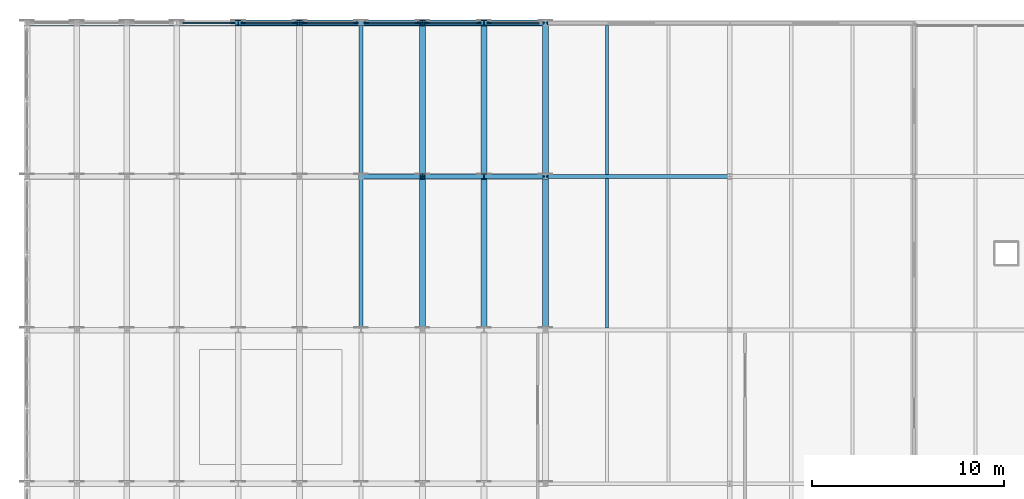
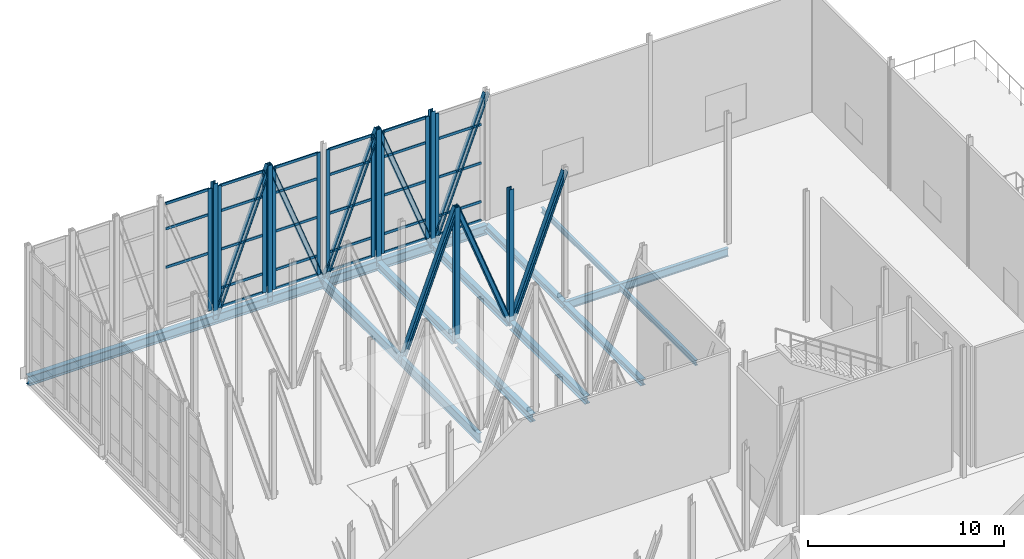
# One storey, part 44 of 73: 51 members, 12 beams, 6 elements without a shape of their own.
"""IFC4 building model written with IfcOpenShell, lengths in metres."""

from ifc_helpers import new_model, si_unit, direction, frame, origin, origin_2d, place, context, subcontext, project, spatial, rectangle, i_section, extrude, material, layer, layer_set, material_profile, profile_set, type_object, element, aggregate, save


model = new_model("IFC4")

# Units and contexts
model_context = context("Model", 3, precision=1e-05, world=origin(), true_north=direction((0.0, 1.0)))
body_context = subcontext(model_context, "Body", "Model", "MODEL_VIEW")
ifc_project = project(units=[si_unit("LENGTHUNIT", "METRE"), si_unit("AREAUNIT", "SQUARE_METRE"), si_unit("VOLUMEUNIT", "CUBIC_METRE"), si_unit("PLANEANGLEUNIT", "RADIAN"), si_unit("MASSUNIT", "GRAM", prefix="KILO")], contexts=[model_context])

# Site, building, storey
site_placement = place(None, origin())
site = spatial("IfcSite", under=ifc_project, at=site_placement, CompositionType="ELEMENT")
building_placement = place(site_placement, origin())
building = spatial("IfcBuilding", under=site, at=building_placement, Name="Alderhovde Museum", CompositionType="ELEMENT")
storey_placement = place(building_placement, frame((0.0, 0.0, 17.39990234375)))
storey = spatial("IfcBuildingStorey", under=building, at=storey_placement, Name="L04", CompositionType="ELEMENT", Elevation=17.39990234375)

# Beams
ifc_material_1 = material(Name="Steel S355J2", Category="steel")
ifc_material_profile_1 = material_profile(ifc_material_1, i_section(OverallWidth=0.300048828125, OverallDepth=0.389892578125, WebThickness=0.010986328125, FlangeThickness=0.01904296875, FilletRadius=0.027099609375, at=origin_2d()), Name="HEA 400")
ifc_profile_set_1 = profile_set([ifc_material_profile_1], Name="Steel S355J2")
beam_type_1 = type_object("IfcBeamType", Name="BM-HEA400", PredefinedType="BEAM", material=ifc_profile_set_1)
for number, where, z_axis, x_axis, name in (
    (1, (28.800048828125, 96.0, -0.474853515625), (0.0, 1.0, 0.0), (-1.0, 0.0, 0.0), "L04 Grid Beam X=28.8 (96.0 TO 104.0)"),
    (2, (28.800048828125, 104.0, -0.474853515625), (0.0, 1.0, 0.0), (-1.0, 0.0, 0.0), "L04 Grid Beam X=28.8 (104.0 TO 112.0)"),
):
    element("IfcBeam", number, at=place(storey_placement, frame(where, z_axis=z_axis, x_axis=x_axis)), inside=storey, type_object=beam_type_1, Name=name, PredefinedType="BEAM", context=body_context, shape_type="SweptSolid", body=[
        extrude(i_section(OverallWidth=0.300048828125, OverallDepth=0.389892578125, WebThickness=0.010986328125, FlangeThickness=0.01904296875, FilletRadius=0.027099609375, at=origin_2d()), origin(), (0.0, 0.0, 1.0), 8.0),
    ])
ifc_material_2 = material(Name="Steel S355J2", Category="steel")
ifc_material_profile_2 = material_profile(ifc_material_2, i_section(OverallWidth=0.300048828125, OverallDepth=0.489990234375, WebThickness=0.011962890625, FlangeThickness=0.02294921875, FilletRadius=0.027099609375, at=origin_2d()), Name="HEA 500")
ifc_profile_set_2 = profile_set([ifc_material_profile_2], Name="Steel S355J2")
beam_type_2 = type_object("IfcBeamType", Name="BM-HEA500", PredefinedType="BEAM", material=ifc_profile_set_2)
for number, where, z_axis, x_axis, name in (
    (3, (22.39990234375, 96.14990234375, -0.52490234375), (0.0, 1.0, 0.0), (-1.0, 0.0, 0.0), "L04 Transfer Transverse Beam X=22.4"),
    (4, (22.39990234375, 104.14990234375, -0.52490234375), (0.0, 1.0, 0.0), (-1.0, 0.0, 0.0), "L04 Transfer Transverse Beam X=22.4"),
    (5, (25.60009765625, 96.14990234375, -0.52490234375), (0.0, 1.0, 0.0), (-1.0, 0.0, 0.0), "L04 Transfer Transverse Beam X=25.6"),
    (6, (25.60009765625, 104.14990234375, -0.52490234375), (0.0, 1.0, 0.0), (-1.0, 0.0, 0.0), "L04 Transfer Transverse Beam X=25.6"),
):
    element("IfcBeam", number, at=place(storey_placement, frame(where, z_axis=z_axis, x_axis=x_axis)), inside=storey, type_object=beam_type_2, Name=name, PredefinedType="BEAM", context=body_context, shape_type="SweptSolid", body=[
        extrude(i_section(OverallWidth=0.300048828125, OverallDepth=0.489990234375, WebThickness=0.011962890625, FlangeThickness=0.02294921875, FilletRadius=0.027099609375, at=origin_2d()), origin(), (0.0, 0.0, 1.0), 7.7001953125),
    ])
ifc_material_3 = material(Name="Steel S355J2", Category="steel")
ifc_material_profile_3 = material_profile(ifc_material_3, i_section(OverallWidth=0.300048828125, OverallDepth=0.60009765625, WebThickness=0.015380859375, FlangeThickness=0.030029296875, FilletRadius=0.027099609375, at=origin_2d()), Name="HEB 600")
ifc_profile_set_3 = profile_set([ifc_material_profile_3], Name="Steel S355J2")
beam_type_3 = type_object("IfcBeamType", Name="BM-HEB600", PredefinedType="BEAM", material=ifc_profile_set_3)
beam_1_placement = place(storey_placement, frame((1.800048828125, 112.0, -0.579833984375), z_axis=(1.0, 0.0, 0.0), x_axis=(0.0, 1.0, 0.0)))
element("IfcBeam", 7, at=beam_1_placement, inside=storey, type_object=beam_type_3, Name="Transfer Truss Y=112 MID Continuous Chord", PredefinedType="BEAM", context=body_context, shape_type="SweptSolid", body=[
    extrude(i_section(OverallWidth=0.300048828125, OverallDepth=0.60009765625, WebThickness=0.015380859375, FlangeThickness=0.030029296875, FilletRadius=0.027099609375, at=origin_2d()), origin(), (0.0, 0.0, 1.0), 27.0),
])
ifc_material_4 = material(Name="Steel S355J2", Category="steel")
ifc_material_profile_4 = material_profile(ifc_material_4, i_section(OverallWidth=0.199951171875, OverallDepth=0.5, WebThickness=0.01025390625, FlangeThickness=0.01611328125, FilletRadius=0.02099609375, at=origin_2d()), Name="IPE 500")
ifc_profile_set_4 = profile_set([ifc_material_profile_4], Name="Steel S355J2")
beam_type_4 = type_object("IfcBeamType", Name="BM-IPE500", PredefinedType="BEAM", material=ifc_profile_set_4)
beam_2_placement = place(storey_placement, frame((28.800048828125, 104.0, -0.52978515625), z_axis=(1.0, 0.0, 0.0), x_axis=(0.0, 1.0, 0.0)))
element("IfcBeam", 8, at=beam_2_placement, inside=storey, type_object=beam_type_4, Name="L04 Grid Beam Y=104.0 (28.8 TO 38.4)", PredefinedType="BEAM", context=body_context, shape_type="SweptSolid", body=[
    extrude(i_section(OverallWidth=0.199951171875, OverallDepth=0.5, WebThickness=0.01025390625, FlangeThickness=0.01611328125, FilletRadius=0.02099609375, at=origin_2d()), origin(), (0.0, 0.0, 1.0), 9.599853515625),
])
ifc_material_5 = material(Name="Steel S355J2", Category="steel")
ifc_material_profile_5 = material_profile(ifc_material_5, i_section(OverallWidth=0.219970703125, OverallDepth=0.60009765625, WebThickness=0.011962890625, FlangeThickness=0.01904296875, FilletRadius=0.02392578125, at=origin_2d()), Name="IPE 600")
ifc_profile_set_5 = profile_set([ifc_material_profile_5], Name="Steel S355J2")
beam_type_5 = type_object("IfcBeamType", Name="BM-IPE600", PredefinedType="BEAM", material=ifc_profile_set_5)
for number, where, z_axis, x_axis, name in (
    (9, (19.199951171875, 96.0, -0.579833984375), (0.0, 1.0, 0.0), (-1.0, 0.0, 0.0), "L04 Grid Beam X=19.2 (96.0 TO 104.0)"),
    (10, (19.199951171875, 104.0, -0.579833984375), (0.0, 1.0, 0.0), (-1.0, 0.0, 0.0), "L04 Grid Beam X=19.2 (104.0 TO 112.0)"),
):
    element("IfcBeam", number, at=place(storey_placement, frame(where, z_axis=z_axis, x_axis=x_axis)), inside=storey, type_object=beam_type_5, Name=name, PredefinedType="BEAM", context=body_context, shape_type="SweptSolid", body=[
        extrude(i_section(OverallWidth=0.219970703125, OverallDepth=0.60009765625, WebThickness=0.011962890625, FlangeThickness=0.01904296875, FilletRadius=0.02392578125, at=origin_2d()), origin(), (0.0, 0.0, 1.0), 8.0),
    ])

# Curtain wall, member
ifc_material_6 = material(Name="Triple-Glazed Bronze-Anodised Curtain Wall", Category="glass")
ifc_layer = layer(ifc_material_6, 0.219970703125)
ifc_layer_set = layer_set([ifc_layer], Name="Triple-Glazed Bronze-Anodised Curtain Wall")
curtain_wall_type = type_object("IfcCurtainWallType", Name="CW-UNIT-272x760", PredefinedType="USERDEFINED", material=ifc_layer_set)
curtain_wall_1_placement = place(storey_placement, origin())
curtain_wall_1 = element("IfcCurtainWall", 11, at=curtain_wall_1_placement, inside=storey, type_object=curtain_wall_type, Name="L04 Unitised Curtain Wall 125", ObjectType="UNITISED CURTAIN WALL", PredefinedType="USERDEFINED")
ifc_material_7 = material(Name="Bronze-Anodised Aluminium EN AW-6063-T6", Category="aluminium")
ifc_material_profile_6 = material_profile(ifc_material_7, rectangle(XDim=0.074951171875, YDim=0.219970703125, at=origin_2d()), Name="MULLION 75x220")
ifc_profile_set_6 = profile_set([ifc_material_profile_6], Name="Bronze-Anodised Aluminium EN AW-6063-T6")
member_type_1 = type_object("IfcMemberType", Name="CWM-75x220", PredefinedType="MULLION", material=ifc_profile_set_6)
member_1_placement = place(storey_placement, frame((12.5224609375, 112.0, 0.0), z_axis=(0.0, 0.0, 1.0), x_axis=(0.0, 1.0, 0.0)))
member_1 = element("IfcMember", 12, at=member_1_placement, type_object=member_type_1, Name="CW30 mullion 2", PredefinedType="MULLION", context=body_context, shape_type="SweptSolid", body=[
    extrude(rectangle(XDim=0.074951171875, YDim=0.219970703125, at=origin_2d()), origin(), (0.0, 0.0, 1.0), 7.60009765625),
])

# Curtain wall, members
curtain_wall_2_placement = place(storey_placement, origin())
curtain_wall_2 = element("IfcCurtainWall", 13, at=curtain_wall_2_placement, inside=storey, type_object=curtain_wall_type, Name="L04 Unitised Curtain Wall 126", ObjectType="UNITISED CURTAIN WALL", PredefinedType="USERDEFINED")
member_2_placement = place(storey_placement, frame((13.077392578125, 112.0, 0.0), z_axis=(0.0, 0.0, 1.0), x_axis=(0.0, 1.0, 0.0)))
member_2 = element("IfcMember", 14, at=member_2_placement, type_object=member_type_1, Name="CW30 mullion 1", PredefinedType="MULLION", context=body_context, shape_type="SweptSolid", body=[
    extrude(rectangle(XDim=0.074951171875, YDim=0.219970703125, at=origin_2d()), origin(), (0.0, 0.0, 1.0), 7.60009765625),
])
member_3_placement = place(storey_placement, frame((15.722412109375, 112.0, 0.0), z_axis=(0.0, 0.0, 1.0), x_axis=(0.0, 1.0, 0.0)))
member_3 = element("IfcMember", 15, at=member_3_placement, type_object=member_type_1, Name="CW30 mullion 2", PredefinedType="MULLION", context=body_context, shape_type="SweptSolid", body=[
    extrude(rectangle(XDim=0.074951171875, YDim=0.219970703125, at=origin_2d()), origin(), (0.0, 0.0, 1.0), 7.60009765625),
])

curtain_wall_3_placement = place(storey_placement, origin())
curtain_wall_3 = element("IfcCurtainWall", 16, at=curtain_wall_3_placement, inside=storey, type_object=curtain_wall_type, Name="L04 Unitised Curtain Wall 127", ObjectType="UNITISED CURTAIN WALL", PredefinedType="USERDEFINED")
member_4_placement = place(storey_placement, frame((16.277587890625, 112.0, 0.0), z_axis=(0.0, 0.0, 1.0), x_axis=(0.0, 1.0, 0.0)))
member_4 = element("IfcMember", 17, at=member_4_placement, type_object=member_type_1, Name="CW30 mullion 1", PredefinedType="MULLION", context=body_context, shape_type="SweptSolid", body=[
    extrude(rectangle(XDim=0.074951171875, YDim=0.219970703125, at=origin_2d()), origin(), (0.0, 0.0, 1.0), 7.60009765625),
])
member_5_placement = place(storey_placement, frame((18.922607421875, 112.0, 0.0), z_axis=(0.0, 0.0, 1.0), x_axis=(0.0, 1.0, 0.0)))
member_5 = element("IfcMember", 18, at=member_5_placement, type_object=member_type_1, Name="CW30 mullion 2", PredefinedType="MULLION", context=body_context, shape_type="SweptSolid", body=[
    extrude(rectangle(XDim=0.074951171875, YDim=0.219970703125, at=origin_2d()), origin(), (0.0, 0.0, 1.0), 7.60009765625),
])

curtain_wall_4_placement = place(storey_placement, origin())
curtain_wall_4 = element("IfcCurtainWall", 19, at=curtain_wall_4_placement, inside=storey, type_object=curtain_wall_type, Name="L04 Unitised Curtain Wall 128", ObjectType="UNITISED CURTAIN WALL", PredefinedType="USERDEFINED")
member_6_placement = place(storey_placement, frame((19.4775390625, 112.0, 0.0), z_axis=(0.0, 0.0, 1.0), x_axis=(0.0, 1.0, 0.0)))
member_6 = element("IfcMember", 20, at=member_6_placement, type_object=member_type_1, Name="CW30 mullion 1", PredefinedType="MULLION", context=body_context, shape_type="SweptSolid", body=[
    extrude(rectangle(XDim=0.074951171875, YDim=0.219970703125, at=origin_2d()), origin(), (0.0, 0.0, 1.0), 7.60009765625),
])
member_7_placement = place(storey_placement, frame((22.12255859375, 112.0, 0.0), z_axis=(0.0, 0.0, 1.0), x_axis=(0.0, 1.0, 0.0)))
member_7 = element("IfcMember", 21, at=member_7_placement, type_object=member_type_1, Name="CW30 mullion 2", PredefinedType="MULLION", context=body_context, shape_type="SweptSolid", body=[
    extrude(rectangle(XDim=0.074951171875, YDim=0.219970703125, at=origin_2d()), origin(), (0.0, 0.0, 1.0), 7.60009765625),
])

curtain_wall_5_placement = place(storey_placement, origin())
curtain_wall_5 = element("IfcCurtainWall", 22, at=curtain_wall_5_placement, inside=storey, type_object=curtain_wall_type, Name="L04 Unitised Curtain Wall 129", ObjectType="UNITISED CURTAIN WALL", PredefinedType="USERDEFINED")
member_8_placement = place(storey_placement, frame((22.677490234375, 112.0, 0.0), z_axis=(0.0, 0.0, 1.0), x_axis=(0.0, 1.0, 0.0)))
member_8 = element("IfcMember", 23, at=member_8_placement, type_object=member_type_1, Name="CW30 mullion 1", PredefinedType="MULLION", context=body_context, shape_type="SweptSolid", body=[
    extrude(rectangle(XDim=0.074951171875, YDim=0.219970703125, at=origin_2d()), origin(), (0.0, 0.0, 1.0), 7.60009765625),
])
member_9_placement = place(storey_placement, frame((25.322509765625, 112.0, 0.0), z_axis=(0.0, 0.0, 1.0), x_axis=(0.0, 1.0, 0.0)))
member_9 = element("IfcMember", 24, at=member_9_placement, type_object=member_type_1, Name="CW30 mullion 2", PredefinedType="MULLION", context=body_context, shape_type="SweptSolid", body=[
    extrude(rectangle(XDim=0.074951171875, YDim=0.219970703125, at=origin_2d()), origin(), (0.0, 0.0, 1.0), 7.60009765625),
])

# Curtain wall, member
curtain_wall_6_placement = place(storey_placement, origin())
curtain_wall_6 = element("IfcCurtainWall", 25, at=curtain_wall_6_placement, inside=storey, type_object=curtain_wall_type, Name="L04 Unitised Curtain Wall 130", ObjectType="UNITISED CURTAIN WALL", PredefinedType="USERDEFINED")
member_10_placement = place(storey_placement, frame((25.87744140625, 112.0, 0.0), z_axis=(0.0, 0.0, 1.0), x_axis=(0.0, 1.0, 0.0)))
member_10 = element("IfcMember", 26, at=member_10_placement, type_object=member_type_1, Name="CW30 mullion 1", PredefinedType="MULLION", context=body_context, shape_type="SweptSolid", body=[
    extrude(rectangle(XDim=0.074951171875, YDim=0.219970703125, at=origin_2d()), origin(), (0.0, 0.0, 1.0), 7.60009765625),
])

# Member
ifc_material_8 = material(Name="Bronze-Anodised Aluminium EN AW-6063-T6", Category="aluminium")
ifc_material_profile_7 = material_profile(ifc_material_8, rectangle(XDim=0.074951171875, YDim=0.159912109375, at=origin_2d()), Name="TRANSOM 75x160")
ifc_profile_set_7 = profile_set([ifc_material_profile_7], Name="Bronze-Anodised Aluminium EN AW-6063-T6")
member_type_2 = type_object("IfcMemberType", Name="CWT-75x160", PredefinedType="USERDEFINED", material=ifc_profile_set_7)
member_11_placement = place(storey_placement, frame((9.9150390625, 112.0, 3.60009765625), z_axis=(1.0, 0.0, 0.0), x_axis=(0.0, 1.0, 0.0)))
member_11 = element("IfcMember", 27, at=member_11_placement, type_object=member_type_2, Name="CW30 transom 1.3", ObjectType="TRANSOM", PredefinedType="USERDEFINED", context=body_context, shape_type="SweptSolid", body=[
    extrude(rectangle(XDim=0.074951171875, YDim=0.159912109375, at=origin_2d()), origin(), (0.0, 0.0, 1.0), 2.570068359375),
])

member_12_placement = place(storey_placement, frame((9.9150390625, 112.0, 6.0), z_axis=(1.0, 0.0, 0.0), x_axis=(0.0, 1.0, 0.0)))
member_12 = element("IfcMember", 28, at=member_12_placement, type_object=member_type_2, Name="CW30 transom 1.4", ObjectType="TRANSOM", PredefinedType="USERDEFINED", context=body_context, shape_type="SweptSolid", body=[
    extrude(rectangle(XDim=0.074951171875, YDim=0.159912109375, at=origin_2d()), origin(), (0.0, 0.0, 1.0), 2.570068359375),
])

member_13_placement = place(storey_placement, frame((9.9150390625, 112.0, 7.5625), z_axis=(1.0, 0.0, 0.0), x_axis=(0.0, 1.0, 0.0)))
member_13 = element("IfcMember", 29, at=member_13_placement, type_object=member_type_2, Name="CW30 transom 1.5", ObjectType="TRANSOM", PredefinedType="USERDEFINED", context=body_context, shape_type="SweptSolid", body=[
    extrude(rectangle(XDim=0.074951171875, YDim=0.159912109375, at=origin_2d()), origin(), (0.0, 0.0, 1.0), 2.570068359375),
])

aggregate(curtain_wall_1, [member_1, member_11, member_12, member_13])

member_14_placement = place(storey_placement, frame((13.114990234375, 112.0, 0.03759765625), z_axis=(1.0, 0.0, 0.0), x_axis=(0.0, 1.0, 0.0)))
member_14 = element("IfcMember", 30, at=member_14_placement, type_object=member_type_2, Name="CW30 transom 1.1", ObjectType="TRANSOM", PredefinedType="USERDEFINED", context=body_context, shape_type="SweptSolid", body=[
    extrude(rectangle(XDim=0.074951171875, YDim=0.159912109375, at=origin_2d()), origin(), (0.0, 0.0, 1.0), 2.570068359375),
])

member_15_placement = place(storey_placement, frame((13.114990234375, 112.0, 1.2001953125), z_axis=(1.0, 0.0, 0.0), x_axis=(0.0, 1.0, 0.0)))
member_15 = element("IfcMember", 31, at=member_15_placement, type_object=member_type_2, Name="CW30 transom 1.2", ObjectType="TRANSOM", PredefinedType="USERDEFINED", context=body_context, shape_type="SweptSolid", body=[
    extrude(rectangle(XDim=0.074951171875, YDim=0.159912109375, at=origin_2d()), origin(), (0.0, 0.0, 1.0), 2.570068359375),
])

member_16_placement = place(storey_placement, frame((13.114990234375, 112.0, 3.60009765625), z_axis=(1.0, 0.0, 0.0), x_axis=(0.0, 1.0, 0.0)))
member_16 = element("IfcMember", 32, at=member_16_placement, type_object=member_type_2, Name="CW30 transom 1.3", ObjectType="TRANSOM", PredefinedType="USERDEFINED", context=body_context, shape_type="SweptSolid", body=[
    extrude(rectangle(XDim=0.074951171875, YDim=0.159912109375, at=origin_2d()), origin(), (0.0, 0.0, 1.0), 2.570068359375),
])

member_17_placement = place(storey_placement, frame((13.114990234375, 112.0, 6.0), z_axis=(1.0, 0.0, 0.0), x_axis=(0.0, 1.0, 0.0)))
member_17 = element("IfcMember", 33, at=member_17_placement, type_object=member_type_2, Name="CW30 transom 1.4", ObjectType="TRANSOM", PredefinedType="USERDEFINED", context=body_context, shape_type="SweptSolid", body=[
    extrude(rectangle(XDim=0.074951171875, YDim=0.159912109375, at=origin_2d()), origin(), (0.0, 0.0, 1.0), 2.570068359375),
])

member_18_placement = place(storey_placement, frame((13.114990234375, 112.0, 7.5625), z_axis=(1.0, 0.0, 0.0), x_axis=(0.0, 1.0, 0.0)))
member_18 = element("IfcMember", 34, at=member_18_placement, type_object=member_type_2, Name="CW30 transom 1.5", ObjectType="TRANSOM", PredefinedType="USERDEFINED", context=body_context, shape_type="SweptSolid", body=[
    extrude(rectangle(XDim=0.074951171875, YDim=0.159912109375, at=origin_2d()), origin(), (0.0, 0.0, 1.0), 2.570068359375),
])

aggregate(curtain_wall_2, [member_2, member_3, member_14, member_15, member_16, member_17, member_18])

member_19_placement = place(storey_placement, frame((16.31494140625, 112.0, 0.03759765625), z_axis=(1.0, 0.0, 0.0), x_axis=(0.0, 1.0, 0.0)))
member_19 = element("IfcMember", 35, at=member_19_placement, type_object=member_type_2, Name="CW30 transom 1.1", ObjectType="TRANSOM", PredefinedType="USERDEFINED", context=body_context, shape_type="SweptSolid", body=[
    extrude(rectangle(XDim=0.074951171875, YDim=0.159912109375, at=origin_2d()), origin(), (0.0, 0.0, 1.0), 2.570068359375),
])

member_20_placement = place(storey_placement, frame((16.31494140625, 112.0, 1.2001953125), z_axis=(1.0, 0.0, 0.0), x_axis=(0.0, 1.0, 0.0)))
member_20 = element("IfcMember", 36, at=member_20_placement, type_object=member_type_2, Name="CW30 transom 1.2", ObjectType="TRANSOM", PredefinedType="USERDEFINED", context=body_context, shape_type="SweptSolid", body=[
    extrude(rectangle(XDim=0.074951171875, YDim=0.159912109375, at=origin_2d()), origin(), (0.0, 0.0, 1.0), 2.570068359375),
])

member_21_placement = place(storey_placement, frame((16.31494140625, 112.0, 3.60009765625), z_axis=(1.0, 0.0, 0.0), x_axis=(0.0, 1.0, 0.0)))
member_21 = element("IfcMember", 37, at=member_21_placement, type_object=member_type_2, Name="CW30 transom 1.3", ObjectType="TRANSOM", PredefinedType="USERDEFINED", context=body_context, shape_type="SweptSolid", body=[
    extrude(rectangle(XDim=0.074951171875, YDim=0.159912109375, at=origin_2d()), origin(), (0.0, 0.0, 1.0), 2.570068359375),
])

member_22_placement = place(storey_placement, frame((16.31494140625, 112.0, 6.0), z_axis=(1.0, 0.0, 0.0), x_axis=(0.0, 1.0, 0.0)))
member_22 = element("IfcMember", 38, at=member_22_placement, type_object=member_type_2, Name="CW30 transom 1.4", ObjectType="TRANSOM", PredefinedType="USERDEFINED", context=body_context, shape_type="SweptSolid", body=[
    extrude(rectangle(XDim=0.074951171875, YDim=0.159912109375, at=origin_2d()), origin(), (0.0, 0.0, 1.0), 2.570068359375),
])

member_23_placement = place(storey_placement, frame((16.31494140625, 112.0, 7.5625), z_axis=(1.0, 0.0, 0.0), x_axis=(0.0, 1.0, 0.0)))
member_23 = element("IfcMember", 39, at=member_23_placement, type_object=member_type_2, Name="CW30 transom 1.5", ObjectType="TRANSOM", PredefinedType="USERDEFINED", context=body_context, shape_type="SweptSolid", body=[
    extrude(rectangle(XDim=0.074951171875, YDim=0.159912109375, at=origin_2d()), origin(), (0.0, 0.0, 1.0), 2.570068359375),
])

aggregate(curtain_wall_3, [member_4, member_5, member_19, member_20, member_21, member_22, member_23])

member_24_placement = place(storey_placement, frame((19.514892578125, 112.0, 0.03759765625), z_axis=(1.0, 0.0, 0.0), x_axis=(0.0, 1.0, 0.0)))
member_24 = element("IfcMember", 40, at=member_24_placement, type_object=member_type_2, Name="CW30 transom 1.1", ObjectType="TRANSOM", PredefinedType="USERDEFINED", context=body_context, shape_type="SweptSolid", body=[
    extrude(rectangle(XDim=0.074951171875, YDim=0.159912109375, at=origin_2d()), origin(), (0.0, 0.0, 1.0), 2.570068359375),
])

member_25_placement = place(storey_placement, frame((19.514892578125, 112.0, 1.2001953125), z_axis=(1.0, 0.0, 0.0), x_axis=(0.0, 1.0, 0.0)))
member_25 = element("IfcMember", 41, at=member_25_placement, type_object=member_type_2, Name="CW30 transom 1.2", ObjectType="TRANSOM", PredefinedType="USERDEFINED", context=body_context, shape_type="SweptSolid", body=[
    extrude(rectangle(XDim=0.074951171875, YDim=0.159912109375, at=origin_2d()), origin(), (0.0, 0.0, 1.0), 2.570068359375),
])

member_26_placement = place(storey_placement, frame((19.514892578125, 112.0, 3.60009765625), z_axis=(1.0, 0.0, 0.0), x_axis=(0.0, 1.0, 0.0)))
member_26 = element("IfcMember", 42, at=member_26_placement, type_object=member_type_2, Name="CW30 transom 1.3", ObjectType="TRANSOM", PredefinedType="USERDEFINED", context=body_context, shape_type="SweptSolid", body=[
    extrude(rectangle(XDim=0.074951171875, YDim=0.159912109375, at=origin_2d()), origin(), (0.0, 0.0, 1.0), 2.570068359375),
])

member_27_placement = place(storey_placement, frame((19.514892578125, 112.0, 6.0), z_axis=(1.0, 0.0, 0.0), x_axis=(0.0, 1.0, 0.0)))
member_27 = element("IfcMember", 43, at=member_27_placement, type_object=member_type_2, Name="CW30 transom 1.4", ObjectType="TRANSOM", PredefinedType="USERDEFINED", context=body_context, shape_type="SweptSolid", body=[
    extrude(rectangle(XDim=0.074951171875, YDim=0.159912109375, at=origin_2d()), origin(), (0.0, 0.0, 1.0), 2.570068359375),
])

member_28_placement = place(storey_placement, frame((19.514892578125, 112.0, 7.5625), z_axis=(1.0, 0.0, 0.0), x_axis=(0.0, 1.0, 0.0)))
member_28 = element("IfcMember", 44, at=member_28_placement, type_object=member_type_2, Name="CW30 transom 1.5", ObjectType="TRANSOM", PredefinedType="USERDEFINED", context=body_context, shape_type="SweptSolid", body=[
    extrude(rectangle(XDim=0.074951171875, YDim=0.159912109375, at=origin_2d()), origin(), (0.0, 0.0, 1.0), 2.570068359375),
])

aggregate(curtain_wall_4, [member_6, member_7, member_24, member_25, member_26, member_27, member_28])

member_29_placement = place(storey_placement, frame((22.715087890625, 112.0, 0.03759765625), z_axis=(1.0, 0.0, 0.0), x_axis=(0.0, 1.0, 0.0)))
member_29 = element("IfcMember", 45, at=member_29_placement, type_object=member_type_2, Name="CW30 transom 1.1", ObjectType="TRANSOM", PredefinedType="USERDEFINED", context=body_context, shape_type="SweptSolid", body=[
    extrude(rectangle(XDim=0.074951171875, YDim=0.159912109375, at=origin_2d()), origin(), (0.0, 0.0, 1.0), 2.56982421875),
])

member_30_placement = place(storey_placement, frame((22.715087890625, 112.0, 1.2001953125), z_axis=(1.0, 0.0, 0.0), x_axis=(0.0, 1.0, 0.0)))
member_30 = element("IfcMember", 46, at=member_30_placement, type_object=member_type_2, Name="CW30 transom 1.2", ObjectType="TRANSOM", PredefinedType="USERDEFINED", context=body_context, shape_type="SweptSolid", body=[
    extrude(rectangle(XDim=0.074951171875, YDim=0.159912109375, at=origin_2d()), origin(), (0.0, 0.0, 1.0), 2.56982421875),
])

member_31_placement = place(storey_placement, frame((22.715087890625, 112.0, 3.60009765625), z_axis=(1.0, 0.0, 0.0), x_axis=(0.0, 1.0, 0.0)))
member_31 = element("IfcMember", 47, at=member_31_placement, type_object=member_type_2, Name="CW30 transom 1.3", ObjectType="TRANSOM", PredefinedType="USERDEFINED", context=body_context, shape_type="SweptSolid", body=[
    extrude(rectangle(XDim=0.074951171875, YDim=0.159912109375, at=origin_2d()), origin(), (0.0, 0.0, 1.0), 2.56982421875),
])

member_32_placement = place(storey_placement, frame((22.715087890625, 112.0, 6.0), z_axis=(1.0, 0.0, 0.0), x_axis=(0.0, 1.0, 0.0)))
member_32 = element("IfcMember", 48, at=member_32_placement, type_object=member_type_2, Name="CW30 transom 1.4", ObjectType="TRANSOM", PredefinedType="USERDEFINED", context=body_context, shape_type="SweptSolid", body=[
    extrude(rectangle(XDim=0.074951171875, YDim=0.159912109375, at=origin_2d()), origin(), (0.0, 0.0, 1.0), 2.56982421875),
])

member_33_placement = place(storey_placement, frame((22.715087890625, 112.0, 7.5625), z_axis=(1.0, 0.0, 0.0), x_axis=(0.0, 1.0, 0.0)))
member_33 = element("IfcMember", 49, at=member_33_placement, type_object=member_type_2, Name="CW30 transom 1.5", ObjectType="TRANSOM", PredefinedType="USERDEFINED", context=body_context, shape_type="SweptSolid", body=[
    extrude(rectangle(XDim=0.074951171875, YDim=0.159912109375, at=origin_2d()), origin(), (0.0, 0.0, 1.0), 2.56982421875),
])

aggregate(curtain_wall_5, [member_8, member_9, member_29, member_30, member_31, member_32, member_33])

member_34_placement = place(storey_placement, frame((25.9150390625, 112.0, 0.03759765625), z_axis=(1.0, 0.0, 0.0), x_axis=(0.0, 1.0, 0.0)))
member_34 = element("IfcMember", 50, at=member_34_placement, type_object=member_type_2, Name="CW30 transom 1.1", ObjectType="TRANSOM", PredefinedType="USERDEFINED", context=body_context, shape_type="SweptSolid", body=[
    extrude(rectangle(XDim=0.074951171875, YDim=0.159912109375, at=origin_2d()), origin(), (0.0, 0.0, 1.0), 2.570068359375),
])

member_35_placement = place(storey_placement, frame((25.9150390625, 112.0, 1.2001953125), z_axis=(1.0, 0.0, 0.0), x_axis=(0.0, 1.0, 0.0)))
member_35 = element("IfcMember", 51, at=member_35_placement, type_object=member_type_2, Name="CW30 transom 1.2", ObjectType="TRANSOM", PredefinedType="USERDEFINED", context=body_context, shape_type="SweptSolid", body=[
    extrude(rectangle(XDim=0.074951171875, YDim=0.159912109375, at=origin_2d()), origin(), (0.0, 0.0, 1.0), 2.570068359375),
])

member_36_placement = place(storey_placement, frame((25.9150390625, 112.0, 3.60009765625), z_axis=(1.0, 0.0, 0.0), x_axis=(0.0, 1.0, 0.0)))
member_36 = element("IfcMember", 52, at=member_36_placement, type_object=member_type_2, Name="CW30 transom 1.3", ObjectType="TRANSOM", PredefinedType="USERDEFINED", context=body_context, shape_type="SweptSolid", body=[
    extrude(rectangle(XDim=0.074951171875, YDim=0.159912109375, at=origin_2d()), origin(), (0.0, 0.0, 1.0), 2.570068359375),
])

member_37_placement = place(storey_placement, frame((25.9150390625, 112.0, 6.0), z_axis=(1.0, 0.0, 0.0), x_axis=(0.0, 1.0, 0.0)))
member_37 = element("IfcMember", 53, at=member_37_placement, type_object=member_type_2, Name="CW30 transom 1.4", ObjectType="TRANSOM", PredefinedType="USERDEFINED", context=body_context, shape_type="SweptSolid", body=[
    extrude(rectangle(XDim=0.074951171875, YDim=0.159912109375, at=origin_2d()), origin(), (0.0, 0.0, 1.0), 2.570068359375),
])

aggregate(curtain_wall_6, [member_10, member_34, member_35, member_36, member_37])

# Beams
ifc_material_9 = material(Name="Steel S355J2", Category="steel")
ifc_material_profile_8 = material_profile(ifc_material_9, i_section(OverallWidth=0.159912109375, OverallDepth=0.330078125, WebThickness=0.007568359375, FlangeThickness=0.011474609375, FilletRadius=0.01806640625, at=origin_2d()), Name="IPE 330")
ifc_profile_set_8 = profile_set([ifc_material_profile_8], Name="Steel S355J2")
beam_type_6 = type_object("IfcBeamType", Name="JST-IPE330", PredefinedType="JOIST", material=ifc_profile_set_8)
beam_3_placement = place(storey_placement, frame((32.0, 96.10498046875, -0.44482421875), z_axis=(0.0, 1.0, 0.0), x_axis=(-1.0, 0.0, 0.0)))
element("IfcBeam", 54, at=beam_3_placement, inside=storey, type_object=beam_type_6, Name="L04 Composite Joist X=32.0 (96.0 TO 104.0)", PredefinedType="JOIST", context=body_context, shape_type="SweptSolid", body=[
    extrude(i_section(OverallWidth=0.159912109375, OverallDepth=0.330078125, WebThickness=0.007568359375, FlangeThickness=0.011474609375, FilletRadius=0.01806640625, at=origin_2d()), origin(), (0.0, 0.0, 1.0), 7.794921875),
])
beam_4_placement = place(storey_placement, frame((32.0, 104.10009765625, -0.44482421875), z_axis=(0.0, 1.0, 0.0), x_axis=(-1.0, 0.0, 0.0)))
element("IfcBeam", 55, at=beam_4_placement, inside=storey, type_object=beam_type_6, Name="L04 Composite Joist X=32.0 (104.0 TO 112.0)", PredefinedType="JOIST", context=body_context, shape_type="SweptSolid", body=[
    extrude(i_section(OverallWidth=0.159912109375, OverallDepth=0.330078125, WebThickness=0.007568359375, FlangeThickness=0.011474609375, FilletRadius=0.01806640625, at=origin_2d()), origin(), (0.0, 0.0, 1.0), 7.77001953125),
])

# Members
ifc_material_10 = material(Name="Steel S355J2", Category="steel")
ifc_material_profile_9 = material_profile(ifc_material_10, i_section(OverallWidth=0.280029296875, OverallDepth=0.27001953125, WebThickness=0.008056640625, FlangeThickness=0.012939453125, FilletRadius=0.02392578125, at=origin_2d()), Name="HEA 280")
ifc_profile_set_9 = profile_set([ifc_material_profile_9], Name="Steel S355J2")
member_type_3 = type_object("IfcMemberType", Name="TR-DG-HEA280", PredefinedType="STRUT", material=ifc_profile_set_9)
member_38_placement = place(storey_placement, frame((19.199951171875, 104.0, -0.579833984375), z_axis=(0.353418397118, 0.0, 0.935465358299), x_axis=(0.0, 1.0, 0.0)))
element("IfcMember", 56, at=member_38_placement, inside=storey, type_object=member_type_3, Name="Transfer Truss Y=104 T2 Diagonal 7", PredefinedType="STRUT", context=body_context, shape_type="SweptSolid", body=[
    extrude(i_section(OverallWidth=0.280029296875, OverallDepth=0.27001953125, WebThickness=0.008056640625, FlangeThickness=0.012939453125, FilletRadius=0.02392578125, at=origin_2d()), origin(), (0.0, 0.0, 1.0), 9.05419921875),
])
member_39_placement = place(storey_placement, frame((22.39990234375, 104.0, 7.89013671875), z_axis=(0.353441992938, 0.0, -0.935456443469), x_axis=(0.0, 1.0, 0.0)))
element("IfcMember", 57, at=member_39_placement, inside=storey, type_object=member_type_3, Name="Transfer Truss Y=104 T2 Diagonal 8", PredefinedType="STRUT", context=body_context, shape_type="SweptSolid", body=[
    extrude(i_section(OverallWidth=0.280029296875, OverallDepth=0.27001953125, WebThickness=0.008056640625, FlangeThickness=0.012939453125, FilletRadius=0.02392578125, at=origin_2d()), origin(), (0.0, 0.0, 1.0), 9.054443359375),
])
for number, where, z_axis, x_axis, name in (
    (58, (25.60009765625, 104.0, -0.579833984375), (0.353418397118, 0.0, 0.935465358299), (0.0, 1.0, 0.0), "Transfer Truss Y=104 T2 Diagonal 9"),
    (59, (12.800048828125, 112.0, -0.579833984375), (0.353418397118, 0.0, 0.935465358299), (0.0, 1.0, 0.0), "Transfer Truss Y=112 T2 Diagonal 5"),
    (60, (16.0, 112.0, 7.89013671875), (0.353418397118, 0.0, -0.935465358299), (0.0, 1.0, 0.0), "Transfer Truss Y=112 T2 Diagonal 6"),
    (61, (19.199951171875, 112.0, -0.579833984375), (0.353418397118, 0.0, 0.935465358299), (0.0, 1.0, 0.0), "Transfer Truss Y=112 T2 Diagonal 7"),
):
    element("IfcMember", number, at=place(storey_placement, frame(where, z_axis=z_axis, x_axis=x_axis)), inside=storey, type_object=member_type_3, Name=name, PredefinedType="STRUT", context=body_context, shape_type="SweptSolid", body=[
        extrude(i_section(OverallWidth=0.280029296875, OverallDepth=0.27001953125, WebThickness=0.008056640625, FlangeThickness=0.012939453125, FilletRadius=0.02392578125, at=origin_2d()), origin(), (0.0, 0.0, 1.0), 9.05419921875),
    ])
member_40_placement = place(storey_placement, frame((22.39990234375, 112.0, 7.89013671875), z_axis=(0.353441992938, 0.0, -0.935456443469), x_axis=(0.0, 1.0, 0.0)))
element("IfcMember", 62, at=member_40_placement, inside=storey, type_object=member_type_3, Name="Transfer Truss Y=112 T2 Diagonal 8", PredefinedType="STRUT", context=body_context, shape_type="SweptSolid", body=[
    extrude(i_section(OverallWidth=0.280029296875, OverallDepth=0.27001953125, WebThickness=0.008056640625, FlangeThickness=0.012939453125, FilletRadius=0.02392578125, at=origin_2d()), origin(), (0.0, 0.0, 1.0), 9.054443359375),
])
member_41_placement = place(storey_placement, frame((25.60009765625, 112.0, -0.579833984375), z_axis=(0.353418397118, 0.0, 0.935465358299), x_axis=(0.0, 1.0, 0.0)))
element("IfcMember", 63, at=member_41_placement, inside=storey, type_object=member_type_3, Name="Transfer Truss Y=112 T2 Diagonal 9", PredefinedType="STRUT", context=body_context, shape_type="SweptSolid", body=[
    extrude(i_section(OverallWidth=0.280029296875, OverallDepth=0.27001953125, WebThickness=0.008056640625, FlangeThickness=0.012939453125, FilletRadius=0.02392578125, at=origin_2d()), origin(), (0.0, 0.0, 1.0), 9.05419921875),
])
ifc_material_11 = material(Name="Steel S355J2", Category="steel")
ifc_material_profile_10 = material_profile(ifc_material_11, i_section(OverallWidth=0.280029296875, OverallDepth=0.280029296875, WebThickness=0.010498046875, FlangeThickness=0.01806640625, FilletRadius=0.02392578125, at=origin_2d()), Name="HEB 280")
ifc_profile_set_10 = profile_set([ifc_material_profile_10], Name="Steel S355J2")
member_type_4 = type_object("IfcMemberType", Name="TR-PS-HEB280", PredefinedType="POST", material=ifc_profile_set_10)
for number, where, z_axis, x_axis, name in (
    (64, (22.39990234375, 104.0, -0.579833984375), (0.0, 0.0, 1.0), (1.0, 0.0, 0.0), "Transfer Truss Y=104 T2 Post 8"),
    (65, (25.60009765625, 104.0, -0.579833984375), (0.0, 0.0, 1.0), (1.0, 0.0, 0.0), "Transfer Truss Y=104 T2 Post 9"),
    (66, (12.800048828125, 112.0, -0.579833984375), (0.0, 0.0, 1.0), (1.0, 0.0, 0.0), "Transfer Truss Y=112 T2 Post 5"),
    (67, (16.0, 112.0, -0.579833984375), (0.0, 0.0, 1.0), (1.0, 0.0, 0.0), "Transfer Truss Y=112 T2 Post 6"),
    (68, (22.39990234375, 112.0, -0.579833984375), (0.0, 0.0, 1.0), (1.0, 0.0, 0.0), "Transfer Truss Y=112 T2 Post 8"),
    (69, (25.60009765625, 112.0, -0.579833984375), (0.0, 0.0, 1.0), (1.0, 0.0, 0.0), "Transfer Truss Y=112 T2 Post 9"),
):
    element("IfcMember", number, at=place(storey_placement, frame(where, z_axis=z_axis, x_axis=x_axis)), inside=storey, type_object=member_type_4, Name=name, PredefinedType="POST", context=body_context, shape_type="SweptSolid", body=[
        extrude(i_section(OverallWidth=0.280029296875, OverallDepth=0.280029296875, WebThickness=0.010498046875, FlangeThickness=0.01806640625, FilletRadius=0.02392578125, at=origin_2d()), origin(), (0.0, 0.0, 1.0), 8.469970703125),
    ])

save(model, "model.ifc")
